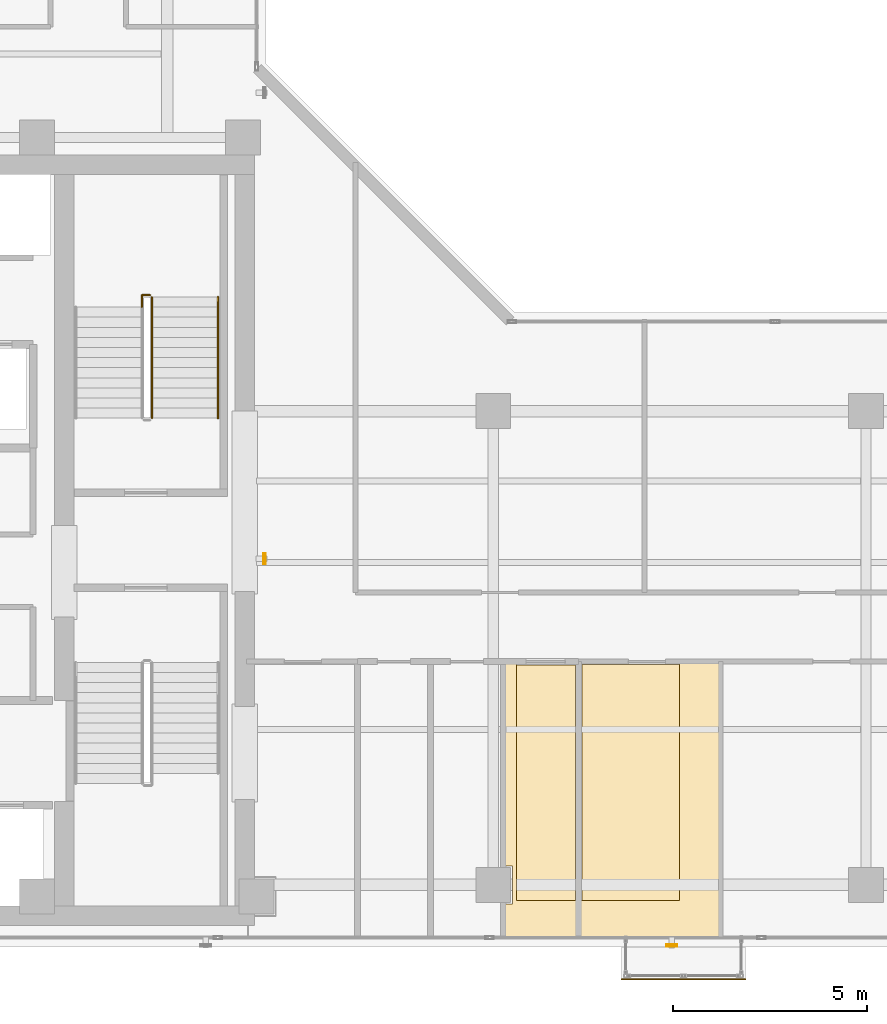
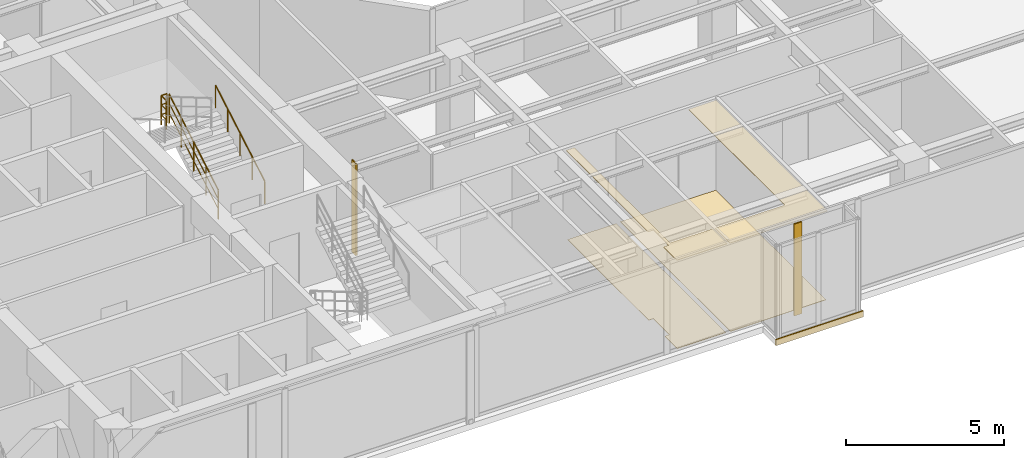
# One storey, part 21 of 22: 5 coverings, 3 railings, 2 shading devices.
"""IFC4 building model written with IfcOpenShell, lengths in metres."""

from ifc_helpers import new_model, si_unit, direction, frame, origin, origin_2d, place, context, subcontext, project, spatial, polyline, rectangle, hollow_rectangle, circle, outline, extrude, material, layer, layer_set, material_profile, profile_set, type_object, element, save


model = new_model("IFC4")

# Units and contexts
model_context = context("Model", 3, precision=1e-05, world=origin(), true_north=direction((0.0, 1.0)))
body_context = subcontext(model_context, "Body", "Model", "MODEL_VIEW")
ifc_project = project(units=[si_unit("LENGTHUNIT", "METRE"), si_unit("AREAUNIT", "SQUARE_METRE"), si_unit("VOLUMEUNIT", "CUBIC_METRE"), si_unit("PLANEANGLEUNIT", "RADIAN"), si_unit("MASSUNIT", "GRAM", prefix="KILO")], contexts=[model_context])

# Site, building, storey
site_placement = place(None, origin())
site = spatial("IfcSite", under=ifc_project, at=site_placement, CompositionType="ELEMENT")
building_placement = place(site_placement, origin())
building = spatial("IfcBuilding", under=site, at=building_placement, Name="Kolvaren Waterfront Exchange", CompositionType="ELEMENT")
storey_placement = place(building_placement, frame((0.0, 0.0, 281.800048828125)))
storey = spatial("IfcBuildingStorey", under=building, at=storey_placement, Name="L72", CompositionType="ELEMENT", Elevation=281.800048828125)

# Coverings
ifc_material_1 = material(Name="Mineral fibre acoustic ceiling tile")
ifc_layer_1 = layer(ifc_material_1, 0.02490234375, Name="Mineral fibre acoustic ceiling tile")
ifc_layer_set_1 = layer_set([ifc_layer_1], Name="Mineral fibre acoustic ceiling tile")
covering_type_1 = type_object("IfcCoveringType", Name="ARC-CEIL-ACOUSTIC-25", PredefinedType="CEILING", material=ifc_layer_set_1)
covering_1_placement = place(storey_placement, frame((0.0, 0.0, 3.445068359375)))
element("IfcCovering", 1, at=covering_1_placement, inside=storey, type_object=covering_type_1, Name="L72 acoustic suspended ceiling 1", PredefinedType="CEILING", context=body_context, shape_type="SweptSolid", body=[
    extrude(outline(polyline([(27.5048828125, 5.68994140625), (27.68994140625, 5.68994140625), (27.68994140625, 4.7099609375), (27.5048828125, 4.7099609375), (27.5048828125, 3.864990234375), (29.35498046875, 3.864990234375), (29.35498046875, 4.800048828125), (27.800048828125, 4.800048828125), (27.800048828125, 10.89501953125), (27.5048828125, 10.89501953125), (27.5048828125, 5.68994140625)])), origin(), (0.0, 0.0, 1.0), 0.02490234375),
])
covering_2_placement = place(storey_placement, frame((0.0, 0.0, 3.445068359375)))
element("IfcCovering", 2, at=covering_2_placement, inside=storey, type_object=covering_type_1, Name="L72 acoustic suspended ceiling 3", PredefinedType="CEILING", context=body_context, shape_type="SweptSolid", body=[
    extrude(outline(polyline([(33.014892578125, 3.844970703125), (33.014892578125, 10.9150390625), (32.0, 10.9150390625), (32.0, 4.800048828125), (29.445068359375, 4.800048828125), (29.445068359375, 3.844970703125), (33.014892578125, 3.844970703125)])), origin(), (0.0, 0.0, 1.0), 0.02490234375),
])
ifc_material_2 = material(Name="Anodised bronze fascia aluminium", Category="aluminium")
ifc_layer_2 = layer(ifc_material_2, 0.034912109375, Name="Anodised bronze fascia aluminium")
ifc_layer_set_2 = layer_set([ifc_layer_2], Name="Anodised bronze fascia aluminium")
covering_type_2 = type_object("IfcCoveringType", Name="ARC-CLAD-BRONZE-35", PredefinedType="CLADDING", material=ifc_layer_set_2)
covering_3_placement = place(storey_placement, frame((32.10009765625, 2.77001953125, -0.22021484375), z_axis=(0.0, 0.0, 1.0), x_axis=(1.0, 0.0, 0.0)))
element("IfcCovering", 3, at=covering_3_placement, inside=storey, type_object=covering_type_2, Name="L72 ribbed anodised bronze bay-box fascia", PredefinedType="CLADDING", context=body_context, shape_type="SweptSolid", body=[
    extrude(rectangle(XDim=3.199951171875, YDim=0.034912109375, at=origin_2d()), origin(), (0.0, 0.0, 1.0), 0.239990234375),
])

# Shading devices
ifc_material_3 = material(Name="Anodised bronze aluminium 6063-T6", Category="aluminium")
ifc_material_profile = material_profile(ifc_material_3, hollow_rectangle(XDim=0.054931640625, YDim=0.280029296875, WallThickness=0.00439453125, at=origin_2d()), Name="BRZ-FIN-280x55x4.5")
ifc_profile_set = profile_set([ifc_material_profile], Name="Anodised bronze aluminium 6063-T6")
shading_device_type = type_object("IfcShadingDeviceType", Name="ARC-FIN-280", PredefinedType="USERDEFINED", material=ifc_profile_set)
for number, where, z_axis, x_axis, name in (
    (4, (31.800048828125, 3.639892578125, 0.0), (0.0, 0.0, 1.0), (0.0, -1.0, 0.0), "L72 anodised bronze solar shading fin FIN-L72-S3"),
    (5, (21.307373046875, 13.60009765625, 0.0), (0.0, 0.0, 1.0), (1.0, 0.0, 0.0), "L72 anodised bronze solar shading fin FIN-L72-E1"),
):
    element("IfcShadingDevice", number, at=place(storey_placement, frame(where, z_axis=z_axis, x_axis=x_axis)), inside=storey, type_object=shading_device_type, Name=name, ObjectType="SOLAR FIN", PredefinedType="USERDEFINED", context=body_context, shape_type="SweptSolid", body=[
        extrude(hollow_rectangle(XDim=0.054931640625, YDim=0.280029296875, WallThickness=0.00439453125, at=origin_2d()), origin(), (0.0, 0.0, 1.0), 3.56005859375),
    ])

# Coverings
ifc_material_4 = material(Name="Slip-resistant porcelain tile")
ifc_layer_3 = layer(ifc_material_4, 0.014892578125, Name="Slip-resistant porcelain tile")
ifc_layer_set_3 = layer_set([ifc_layer_3], Name="Slip-resistant porcelain tile")
covering_type_3 = type_object("IfcCoveringType", Name="ARC-FLR-PORC-15", PredefinedType="FLOORING", material=ifc_layer_set_3)
covering_4_placement = place(storey_placement, origin())
element("IfcCovering", 6, at=covering_4_placement, inside=storey, type_object=covering_type_3, Name="L72 floor finish 1", PredefinedType="FLOORING", context=body_context, shape_type="SweptSolid", body=[
    extrude(outline(polyline([(27.5400390625, 4.68994140625), (27.5400390625, 3.89990234375), (29.320068359375, 3.89990234375), (29.320068359375, 10.860107421875), (27.5400390625, 10.860107421875), (27.5400390625, 5.7099609375), (27.7099609375, 5.7099609375), (27.7099609375, 4.68994140625), (27.5400390625, 4.68994140625)])), origin(), (0.0, 0.0, 1.0), 0.014892578125),
])
covering_5_placement = place(storey_placement, origin())
element("IfcCovering", 7, at=covering_5_placement, inside=storey, type_object=covering_type_3, Name="L72 floor finish 3", PredefinedType="FLOORING", context=body_context, shape_type="SweptSolid", body=[
    extrude(outline(polyline([(29.47998046875, 10.8798828125), (29.47998046875, 3.8798828125), (32.97998046875, 3.8798828125), (32.97998046875, 10.8798828125), (29.47998046875, 10.8798828125)])), origin(), (0.0, 0.0, 1.0), 0.014892578125),
])

# Railings
ifc_material_5 = material(Name="Stainless steel 316", Category="steel")
railing_type_1 = type_object("IfcRailingType", Name="ARC-GUARD-STAIR", PredefinedType="GUARDRAIL", material=ifc_material_5)
railing_1_placement = place(storey_placement, frame((18.409912109375, 17.219970703125, 0.15185546875)))
element("IfcRailing", 8, at=railing_1_placement, inside=storey, type_object=railing_type_1, Name="L72 ST2 stair guard 1", PredefinedType="GUARDRAIL", context=body_context, shape_type="SweptSolid", body=[
    extrude(circle(Radius=0.02392578125, at=origin_2d()), frame((0.0, 0.0, 1.1259765625), z_axis=(0.0, 0.86330811405, 0.504677223793), x_axis=(-1.0, 0.0, 0.0)), (0.0, 0.0, 1.0), 3.6142578125),
    extrude(circle(Radius=0.01611328125, at=origin_2d()), frame((0.0, 0.0, 0.390869140625), z_axis=(0.0, 0.86330811405, 0.504677223793), x_axis=(-1.0, 0.0, 0.0)), (0.0, 0.0, 1.0), 3.6142578125),
    extrude(circle(Radius=0.01611328125, at=origin_2d()), frame((0.0, 0.0, 0.7705078125), z_axis=(0.0, 0.86330811405, 0.504677223793), x_axis=(-1.0, 0.0, 0.0)), (0.0, 0.0, 1.0), 3.6142578125),
    extrude(circle(Radius=0.02099609375, at=origin_2d()), origin(), (0.0, 0.0, 1.0), 1.101806640625),
    extrude(circle(Radius=0.02099609375, at=origin_2d()), frame((0.0, 0.780029296875, 0.4560546875)), (0.0, 0.0, 1.0), 1.101806640625),
    extrude(circle(Radius=0.02099609375, at=origin_2d()), frame((0.0, 1.56005859375, 0.912109375)), (0.0, 0.0, 1.0), 1.101806640625),
    extrude(circle(Radius=0.02099609375, at=origin_2d()), frame((0.0, 2.340087890625, 1.367919921875)), (0.0, 0.0, 1.0), 1.101806640625),
    extrude(circle(Radius=0.02099609375, at=origin_2d()), frame((0.0, 3.1201171875, 1.823974609375)), (0.0, 0.0, 1.0), 1.101806640625),
])
railing_2_placement = place(storey_placement, frame((18.360107421875, 20.389892578125, 1.975830078125)))
element("IfcRailing", 9, at=railing_2_placement, inside=storey, type_object=railing_type_1, Name="L72 ST2 stair guard 2", PredefinedType="GUARDRAIL", context=body_context, shape_type="SweptSolid", body=[
    extrude(circle(Radius=0.02392578125, at=origin_2d()), frame((0.0, 0.0, 1.1259765625), z_axis=(-1.0, 0.0, 0.0), x_axis=(0.0, -1.0, 0.0)), (0.0, 0.0, 1.0), 0.210205078125),
    extrude(circle(Radius=0.01611328125, at=origin_2d()), frame((0.0, 0.0, 0.390869140625), z_axis=(-1.0, 0.0, 0.0), x_axis=(0.0, -1.0, 0.0)), (0.0, 0.0, 1.0), 0.210205078125),
    extrude(circle(Radius=0.01611328125, at=origin_2d()), frame((0.0, 0.0, 0.7705078125), z_axis=(-1.0, 0.0, 0.0), x_axis=(0.0, -1.0, 0.0)), (0.0, 0.0, 1.0), 0.210205078125),
    extrude(circle(Radius=0.02392578125, at=origin_2d()), frame((-0.210205078125, 0.0, 1.1259765625), z_axis=(0.0, -1.0, 0.0), x_axis=(1.0, 0.0, 0.0)), (0.0, 0.0, 1.0), 0.309814453125),
    extrude(circle(Radius=0.01611328125, at=origin_2d()), frame((-0.210205078125, 0.0, 0.390869140625), z_axis=(0.0, -1.0, 0.0), x_axis=(1.0, 0.0, 0.0)), (0.0, 0.0, 1.0), 0.309814453125),
    extrude(circle(Radius=0.01611328125, at=origin_2d()), frame((-0.210205078125, 0.0, 0.7705078125), z_axis=(0.0, -1.0, 0.0), x_axis=(1.0, 0.0, 0.0)), (0.0, 0.0, 1.0), 0.309814453125),
    extrude(circle(Radius=0.02099609375, at=origin_2d()), origin(), (0.0, 0.0, 1.0), 1.101806640625),
    extrude(circle(Radius=0.02099609375, at=origin_2d()), frame((-0.210205078125, 0.0, 0.0)), (0.0, 0.0, 1.0), 1.101806640625),
    extrude(circle(Radius=0.02099609375, at=origin_2d()), frame((-0.210205078125, -0.309814453125, 0.0)), (0.0, 0.0, 1.0), 1.101806640625),
])
railing_type_2 = type_object("IfcRailingType", Name="ARC-HANDRAIL-900", PredefinedType="HANDRAIL", material=ifc_material_5)
railing_3_placement = place(storey_placement, frame((20.110107421875, 17.219970703125, 0.15185546875)))
element("IfcRailing", 10, at=railing_3_placement, inside=storey, type_object=railing_type_2, Name="L72 ST2 stair handrail 1", PredefinedType="HANDRAIL", context=body_context, shape_type="SweptSolid", body=[
    extrude(circle(Radius=0.02392578125, at=origin_2d()), frame((0.0, 0.0, 0.8759765625), z_axis=(0.0, 0.86330811405, 0.504677223793), x_axis=(-1.0, 0.0, 0.0)), (0.0, 0.0, 1.0), 3.6142578125),
    extrude(circle(Radius=0.02099609375, at=origin_2d()), origin(), (0.0, 0.0, 1.0), 0.851806640625),
    extrude(circle(Radius=0.02099609375, at=origin_2d()), frame((0.0, 0.780029296875, 0.4560546875)), (0.0, 0.0, 1.0), 0.851806640625),
    extrude(circle(Radius=0.02099609375, at=origin_2d()), frame((0.0, 1.56005859375, 0.912109375)), (0.0, 0.0, 1.0), 0.851806640625),
    extrude(circle(Radius=0.02099609375, at=origin_2d()), frame((0.0, 2.340087890625, 1.367919921875)), (0.0, 0.0, 1.0), 0.851806640625),
    extrude(circle(Radius=0.02099609375, at=origin_2d()), frame((0.0, 3.1201171875, 1.823974609375)), (0.0, 0.0, 1.0), 0.851806640625),
])

save(model, "model.ifc")
